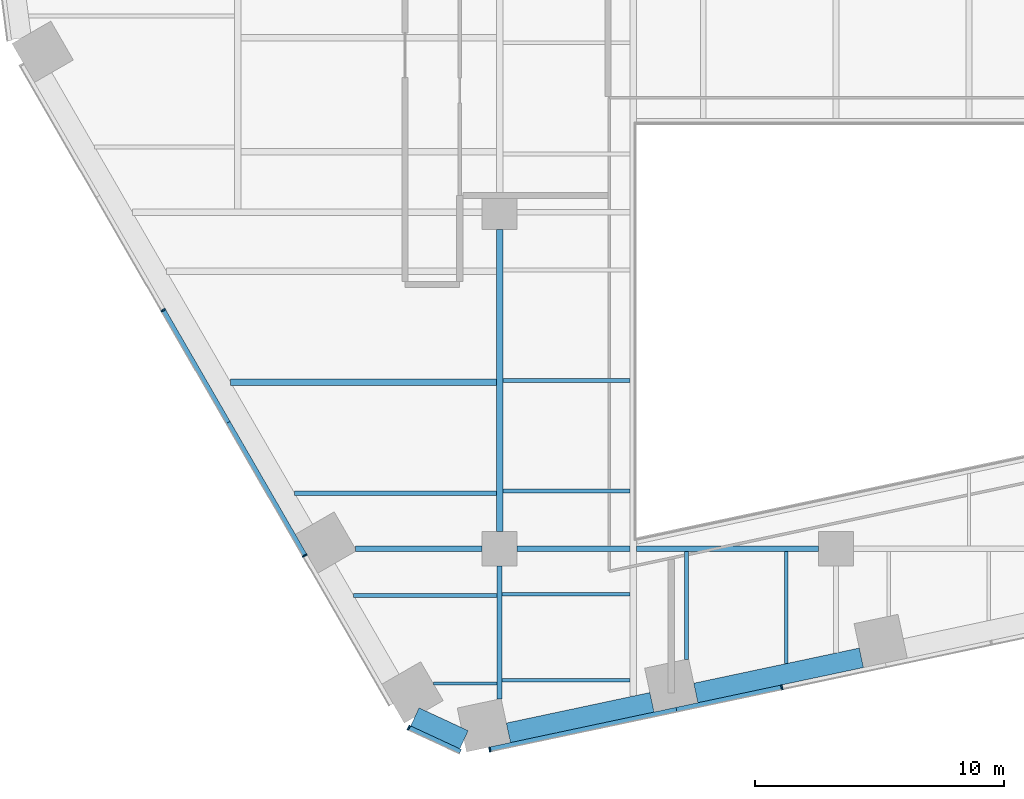
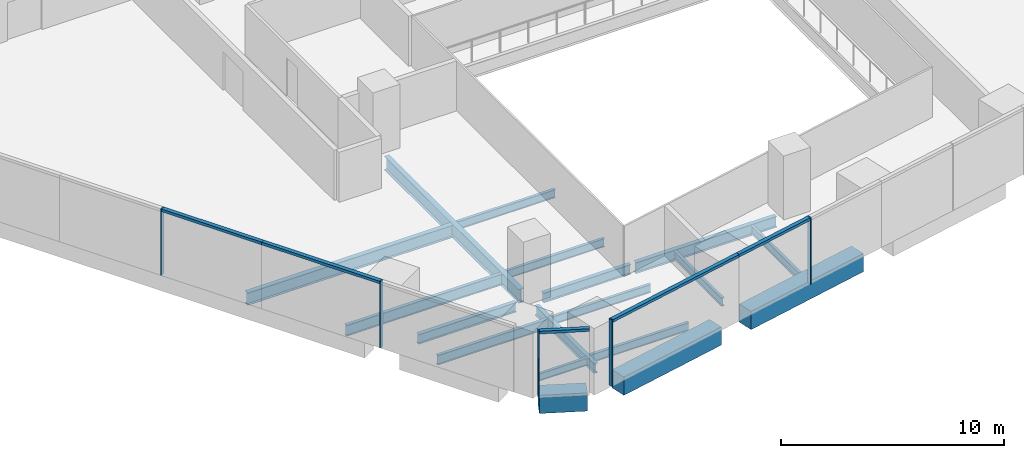
# One storey, part 2 of 21: 18 beams, 10 members, 3 elements without a shape of their own.
"""IFC4 building model written with IfcOpenShell, lengths in metres."""

from ifc_helpers import new_model, si_unit, direction, frame, origin, origin_2d, place, context, subcontext, project, spatial, rectangle, i_section, extrude, material, layer, layer_set, material_profile, profile_set, type_object, element, aggregate, save


model = new_model("IFC4")

# Units and contexts
model_context = context("Model", 3, precision=1e-05, world=origin(), true_north=direction((0.0, 1.0)))
body_context = subcontext(model_context, "Body", "Model", "MODEL_VIEW")
ifc_project = project(units=[si_unit("LENGTHUNIT", "METRE"), si_unit("AREAUNIT", "SQUARE_METRE"), si_unit("VOLUMEUNIT", "CUBIC_METRE"), si_unit("PLANEANGLEUNIT", "RADIAN"), si_unit("MASSUNIT", "GRAM", prefix="KILO")], contexts=[model_context])

# Site, building, storey
site_placement = place(None, origin())
site = spatial("IfcSite", under=ifc_project, at=site_placement, CompositionType="ELEMENT")
building_placement = place(site_placement, origin())
building = spatial("IfcBuilding", under=site, at=building_placement, Name="Isthmus Gate Tower", CompositionType="ELEMENT")
storey_placement = place(building_placement, frame((0.0, 0.0, 50.60009765625)))
storey = spatial("IfcBuildingStorey", under=building, at=storey_placement, Name="L10", CompositionType="ELEMENT", Elevation=50.60009765625)

# Curtain wall, members
ifc_material_1 = material(Name="Aluminium, pale champagne anodised", Category="aluminium")
ifc_layer = layer(ifc_material_1, 0.199951171875)
ifc_layer_set = layer_set([ifc_layer], Name="CW-1 UNITISED CURTAIN WALL 200 DEEP")
curtain_wall_type = type_object("IfcCurtainWallType", Name="CW-1 UNITISED CURTAIN WALL 200 DEEP", PredefinedType="NOTDEFINED", material=ifc_layer_set)
curtain_wall_1_placement = place(storey_placement, origin())
curtain_wall_1 = element("IfcCurtainWall", 1, at=curtain_wall_1_placement, inside=storey, type_object=curtain_wall_type, Name="CW-1 SW L10", PredefinedType="NOTDEFINED")
ifc_material_2 = material(Name="Aluminium, pale champagne anodised", Category="aluminium")
ifc_material_profile_1 = material_profile(ifc_material_2, rectangle(XDim=0.06005859375, YDim=0.199951171875, at=origin_2d()), Name="60x200")
ifc_profile_set_1 = profile_set([ifc_material_profile_1], Name="Aluminium, pale champagne anodised")
member_type_1 = type_object("IfcMemberType", Name="CW-1 MULLION 60 X 200", PredefinedType="MULLION", material=ifc_profile_set_1)
member_1_placement = place(storey_placement, frame((-27.001708984375, -17.431640625, 0.0), z_axis=(0.0, 0.0, 1.0), x_axis=(0.5, -0.866025403784, 0.0)))
member_1 = element("IfcMember", 2, at=member_1_placement, type_object=member_type_1, Name="CW-1 mullion", PredefinedType="MULLION", context=body_context, shape_type="SweptSolid", body=[
    extrude(rectangle(XDim=0.06005859375, YDim=0.199951171875, at=origin_2d()), origin(), (0.0, 0.0, 1.0), 3.64990234375),
])
member_2_placement = place(storey_placement, frame((-21.318115234375, -27.27587890625, 0.0), z_axis=(0.0, 0.0, 1.0), x_axis=(0.5, -0.866025403784, 0.0)))
member_2 = element("IfcMember", 3, at=member_2_placement, type_object=member_type_1, Name="CW-1 mullion", PredefinedType="MULLION", context=body_context, shape_type="SweptSolid", body=[
    extrude(rectangle(XDim=0.06005859375, YDim=0.199951171875, at=origin_2d()), origin(), (0.0, 0.0, 1.0), 3.64990234375),
])

# Curtain wall, member
curtain_wall_2_placement = place(storey_placement, origin())
curtain_wall_2 = element("IfcCurtainWall", 4, at=curtain_wall_2_placement, inside=storey, type_object=curtain_wall_type, Name="CW-1 SW-S L10", PredefinedType="NOTDEFINED")
member_3_placement = place(storey_placement, frame((-17.14794921875, -34.184814453125, 0.0), z_axis=(0.0, 0.0, 1.0), x_axis=(0.907256261367, -0.420578264073, 0.0)))
member_3 = element("IfcMember", 5, at=member_3_placement, type_object=member_type_1, Name="CW-1 mullion", PredefinedType="MULLION", context=body_context, shape_type="SweptSolid", body=[
    extrude(rectangle(XDim=0.06005859375, YDim=0.199951171875, at=origin_2d()), origin(), (0.0, 0.0, 1.0), 3.64990234375),
])

# Curtain wall, members
curtain_wall_3_placement = place(storey_placement, origin())
curtain_wall_3 = element("IfcCurtainWall", 6, at=curtain_wall_3_placement, inside=storey, type_object=curtain_wall_type, Name="CW-1 S L10", PredefinedType="NOTDEFINED")
member_4_placement = place(storey_placement, frame((-13.89501953125, -35.0556640625, 0.0), z_axis=(0.0, 0.0, 1.0), x_axis=(0.978147600734, 0.207911690818, 0.0)))
member_4 = element("IfcMember", 7, at=member_4_placement, type_object=member_type_1, Name="CW-1 mullion", PredefinedType="MULLION", context=body_context, shape_type="SweptSolid", body=[
    extrude(rectangle(XDim=0.06005859375, YDim=0.199951171875, at=origin_2d()), origin(), (0.0, 0.0, 1.0), 3.64990234375),
])
member_5_placement = place(storey_placement, frame((-2.1728515625, -32.564208984375, 0.0), z_axis=(0.0, 0.0, 1.0), x_axis=(0.978147600734, 0.207911690818, 0.0)))
member_5 = element("IfcMember", 8, at=member_5_placement, type_object=member_type_1, Name="CW-1 mullion", PredefinedType="MULLION", context=body_context, shape_type="SweptSolid", body=[
    extrude(rectangle(XDim=0.06005859375, YDim=0.199951171875, at=origin_2d()), origin(), (0.0, 0.0, 1.0), 3.64990234375),
])

# Member
ifc_material_3 = material(Name="Aluminium, pale champagne anodised", Category="aluminium")
ifc_material_profile_2 = material_profile(ifc_material_3, rectangle(XDim=0.199951171875, YDim=0.14990234375, at=origin_2d()), Name="200x150")
ifc_profile_set_2 = profile_set([ifc_material_profile_2], Name="Aluminium, pale champagne anodised")
member_type_2 = type_object("IfcMemberType", Name="CW-1 TRANSOM 200 X 150", PredefinedType="USERDEFINED", material=ifc_profile_set_2)
member_6_placement = place(storey_placement, frame((-26.98681640625, -17.45751953125, 3.574951171875), z_axis=(0.49999612508, -0.866027640959, 0.0), x_axis=(0.866027640959, 0.49999612508, 0.0)))
member_6 = element("IfcMember", 9, at=member_6_placement, type_object=member_type_2, Name="CW-1 transom", ObjectType="TRANSOM", PredefinedType="USERDEFINED", context=body_context, shape_type="SweptSolid", body=[
    extrude(rectangle(XDim=0.199951171875, YDim=0.14990234375, at=origin_2d()), origin(), (0.0, 0.0, 1.0), 5.173828125),
])

member_7_placement = place(storey_placement, frame((-24.39990234375, -21.938232421875, 3.574951171875), z_axis=(0.500017618927, -0.866015231253, 0.0), x_axis=(0.866015231253, 0.500017618927, 0.0)))
member_7 = element("IfcMember", 10, at=member_7_placement, type_object=member_type_2, Name="CW-1 transom", ObjectType="TRANSOM", PredefinedType="USERDEFINED", context=body_context, shape_type="SweptSolid", body=[
    extrude(rectangle(XDim=0.199951171875, YDim=0.14990234375, at=origin_2d()), origin(), (0.0, 0.0, 1.0), 6.133544921875),
])

aggregate(curtain_wall_1, [member_1, member_6, member_7, member_2])

member_8_placement = place(storey_placement, frame((-17.120849609375, -34.197509765625, 3.574951171875), z_axis=(0.907246225564, -0.420599912268, 0.0), x_axis=(0.420599912268, 0.907246225564, 0.0)))
member_8 = element("IfcMember", 11, at=member_8_placement, type_object=member_type_2, Name="CW-1 transom", ObjectType="TRANSOM", PredefinedType="USERDEFINED", context=body_context, shape_type="SweptSolid", body=[
    extrude(rectangle(XDim=0.199951171875, YDim=0.14990234375, at=origin_2d()), origin(), (0.0, 0.0, 1.0), 2.258544921875),
])

aggregate(curtain_wall_2, [member_3, member_8])

member_9_placement = place(storey_placement, frame((-13.86572265625, -35.049560546875, 3.574951171875), z_axis=(0.978149009137, 0.20790506469, 0.0), x_axis=(-0.20790506469, 0.978149009137, 0.0)))
member_9 = element("IfcMember", 12, at=member_9_placement, type_object=member_type_2, Name="CW-1 transom", ObjectType="TRANSOM", PredefinedType="USERDEFINED", context=body_context, shape_type="SweptSolid", body=[
    extrude(rectangle(XDim=0.199951171875, YDim=0.14990234375, at=origin_2d()), origin(), (0.0, 0.0, 1.0), 7.62939453125),
])

member_10_placement = place(storey_placement, frame((-6.403076171875, -33.46337890625, 3.574951171875), z_axis=(0.97813890815, 0.207952582007, 0.0), x_axis=(-0.207952582007, 0.97813890815, 0.0)))
member_10 = element("IfcMember", 13, at=member_10_placement, type_object=member_type_2, Name="CW-1 transom", ObjectType="TRANSOM", PredefinedType="USERDEFINED", context=body_context, shape_type="SweptSolid", body=[
    extrude(rectangle(XDim=0.199951171875, YDim=0.14990234375, at=origin_2d()), origin(), (0.0, 0.0, 1.0), 4.294677734375),
])

aggregate(curtain_wall_3, [member_4, member_9, member_10, member_5])

# Beams
ifc_material_4 = material(Name="Concrete f'c 70 MPa", Category="concrete")
ifc_material_profile_3 = material_profile(ifc_material_4, rectangle(XDim=0.800048828125, YDim=1.0, at=origin_2d()), Name="RC 800X1000")
ifc_profile_set_3 = profile_set([ifc_material_profile_3], Name="Concrete f'c 70 MPa")
beam_type_1 = type_object("IfcBeamType", Name="RC SPANDREL 800 X 1000", PredefinedType="SPANDREL", material=ifc_profile_set_3)
beam_1_placement = place(storey_placement, frame((1.01416015625, -31.37548828125, -0.5), z_axis=(-0.978145779981, -0.207920256603, 0.0), x_axis=(0.207920256603, -0.978145779981, 0.0)))
element("IfcBeam", 14, at=beam_1_placement, inside=storey, type_object=beam_type_1, Name="str-spandrel-L10-12", PredefinedType="SPANDREL", context=body_context, shape_type="SweptSolid", body=[
    extrude(rectangle(XDim=0.800048828125, YDim=1.0, at=origin_2d()), origin(), (0.0, 0.0, 1.0), 6.789306640625),
])
beam_2_placement = place(storey_placement, frame((-7.387451171875, -33.161376953125, -0.5), z_axis=(-0.978149894464, -0.207900899374, 0.0), x_axis=(0.207900899374, -0.978149894464, 0.0)))
element("IfcBeam", 15, at=beam_2_placement, inside=storey, type_object=beam_type_1, Name="str-spandrel-L10-13", PredefinedType="SPANDREL", context=body_context, shape_type="SweptSolid", body=[
    extrude(rectangle(XDim=0.800048828125, YDim=1.0, at=origin_2d()), origin(), (0.0, 0.0, 1.0), 5.88916015625),
])
beam_3_placement = place(storey_placement, frame((-14.929443359375, -34.662109375, -0.5), z_axis=(-0.907290744498, 0.420503870314, 0.0), x_axis=(-0.420503870314, -0.907290744498, 0.0)))
element("IfcBeam", 16, at=beam_3_placement, inside=storey, type_object=beam_type_1, Name="str-spandrel-L10-14", PredefinedType="SPANDREL", context=body_context, shape_type="SweptSolid", body=[
    extrude(rectangle(XDim=0.800048828125, YDim=1.0, at=origin_2d()), origin(), (0.0, 0.0, 1.0), 2.173095703125),
])
ifc_material_5 = material(Name="Structural steel ASTM A992 Gr 50", Category="steel")
ifc_material_profile_4 = material_profile(ifc_material_5, i_section(OverallWidth=0.1396484375, OverallDepth=0.4033203125, WebThickness=0.00634765625, FlangeThickness=0.010986328125, at=origin_2d()), Name="W16X31")
ifc_profile_set_4 = profile_set([ifc_material_profile_4], Name="Structural steel ASTM A992 Gr 50")
beam_type_2 = type_object("IfcBeamType", Name="STEEL FLOOR BEAM W16X31", PredefinedType="JOIST", material=ifc_profile_set_4)
beam_4_placement = place(storey_placement, frame((-16.162353515625, -32.406005859375, -0.351806640625), z_axis=(1.0, 0.0, 0.0), x_axis=(0.0, 1.0, 0.0)))
element("IfcBeam", 17, at=beam_4_placement, inside=storey, type_object=beam_type_2, Name="str-beam-L10-09-00", PredefinedType="JOIST", context=body_context, shape_type="SweptSolid", body=[
    extrude(i_section(OverallWidth=0.1396484375, OverallDepth=0.4033203125, WebThickness=0.00634765625, FlangeThickness=0.010986328125, at=origin_2d()), origin(), (0.0, 0.0, 1.0), 2.5576171875),
])
ifc_material_6 = material(Name="Structural steel ASTM A992 Gr 50", Category="steel")
ifc_material_profile_5 = material_profile(ifc_material_6, i_section(OverallWidth=0.15234375, OverallDepth=0.45068359375, WebThickness=0.0078125, FlangeThickness=0.010986328125, at=origin_2d()), Name="W18X35")
ifc_profile_set_5 = profile_set([ifc_material_profile_5], Name="Structural steel ASTM A992 Gr 50")
beam_type_3 = type_object("IfcBeamType", Name="STEEL FLOOR BEAM W18X35", PredefinedType="JOIST", material=ifc_profile_set_5)
for number, where, z_axis, x_axis, name in (
    (18, (-13.395263671875, -32.27197265625, -0.37548828125), (1.0, 0.0, 0.0), (0.0, 1.0, 0.0), "str-beam-L10-10-00"),
    (19, (-13.395263671875, -28.8271484375, -0.37548828125), (1.0, 0.0, 0.0), (0.0, 1.0, 0.0), "str-beam-L10-10-01"),
):
    element("IfcBeam", number, at=place(storey_placement, frame(where, z_axis=z_axis, x_axis=x_axis)), inside=storey, type_object=beam_type_3, Name=name, PredefinedType="JOIST", context=body_context, shape_type="SweptSolid", body=[
        extrude(i_section(OverallWidth=0.15234375, OverallDepth=0.45068359375, WebThickness=0.0078125, FlangeThickness=0.010986328125, at=origin_2d()), origin(), (0.0, 0.0, 1.0), 5.128662109375),
    ])
for number, where, z_axis, x_axis, name in (
    (20, (-13.3681640625, -24.68017578125, -0.37548828125), (1.0, 0.0, 0.0), (0.0, 1.0, 0.0), "str-beam-L10-12-00"),
    (21, (-13.3681640625, -20.25, -0.37548828125), (1.0, 0.0, 0.0), (0.0, 1.0, 0.0), "str-beam-L10-12-01"),
):
    element("IfcBeam", number, at=place(storey_placement, frame(where, z_axis=z_axis, x_axis=x_axis)), inside=storey, type_object=beam_type_3, Name=name, PredefinedType="JOIST", context=body_context, shape_type="SweptSolid", body=[
        extrude(i_section(OverallWidth=0.15234375, OverallDepth=0.45068359375, WebThickness=0.0078125, FlangeThickness=0.010986328125, at=origin_2d()), origin(), (0.0, 0.0, 1.0), 5.1015625),
    ])
beam_5_placement = place(storey_placement, frame((-6.0, -31.43505859375, -0.37548828125), z_axis=(0.0, 1.0, 0.0), x_axis=(-1.0, 0.0, 0.0)))
element("IfcBeam", 22, at=beam_5_placement, inside=storey, type_object=beam_type_3, Name="str-beam-L10-15-00", PredefinedType="JOIST", context=body_context, shape_type="SweptSolid", body=[
    extrude(i_section(OverallWidth=0.15234375, OverallDepth=0.45068359375, WebThickness=0.0078125, FlangeThickness=0.010986328125, at=origin_2d()), origin(), (0.0, 0.0, 1.0), 4.32080078125),
])
beam_6_placement = place(storey_placement, frame((-2.0, -31.607177734375, -0.37548828125), z_axis=(0.0, 1.0, 0.0), x_axis=(-1.0, 0.0, 0.0)))
element("IfcBeam", 23, at=beam_6_placement, inside=storey, type_object=beam_type_3, Name="str-beam-L10-15-01", PredefinedType="JOIST", context=body_context, shape_type="SweptSolid", body=[
    extrude(i_section(OverallWidth=0.15234375, OverallDepth=0.45068359375, WebThickness=0.0078125, FlangeThickness=0.010986328125, at=origin_2d()), origin(), (0.0, 0.0, 1.0), 4.492919921875),
])
ifc_material_7 = material(Name="Structural steel ASTM A992 Gr 50", Category="steel")
ifc_material_profile_6 = material_profile(ifc_material_7, i_section(OverallWidth=0.1650390625, OverallDepth=0.52392578125, WebThickness=0.009521484375, FlangeThickness=0.010986328125, at=origin_2d()), Name="W21X44")
ifc_profile_set_6 = profile_set([ifc_material_profile_6], Name="Structural steel ASTM A992 Gr 50")
beam_type_4 = type_object("IfcBeamType", Name="STEEL FLOOR BEAM W21X44", PredefinedType="JOIST", material=ifc_profile_set_6)
beam_7_placement = place(storey_placement, frame((-19.357421875, -28.871826171875, -0.412109375), z_axis=(1.0, 0.0, 0.0), x_axis=(0.0, 1.0, 0.0)))
element("IfcBeam", 24, at=beam_7_placement, inside=storey, type_object=beam_type_4, Name="str-beam-L10-09-01", PredefinedType="JOIST", context=body_context, shape_type="SweptSolid", body=[
    extrude(i_section(OverallWidth=0.1650390625, OverallDepth=0.52392578125, WebThickness=0.009521484375, FlangeThickness=0.010986328125, at=origin_2d()), origin(), (0.0, 0.0, 1.0), 5.752685546875),
])
ifc_material_8 = material(Name="Structural steel ASTM A992 Gr 50", Category="steel")
ifc_material_profile_7 = material_profile(ifc_material_8, i_section(OverallWidth=0.177734375, OverallDepth=0.60009765625, WebThickness=0.009521484375, FlangeThickness=0.0126953125, at=origin_2d()), Name="W24X55")
ifc_profile_set_7 = profile_set([ifc_material_profile_7], Name="Structural steel ASTM A992 Gr 50")
beam_type_5 = type_object("IfcBeamType", Name="STEEL FLOOR BEAM W24X55", PredefinedType="JOIST", material=ifc_profile_set_7)
beam_8_placement = place(storey_placement, frame((-21.724365234375, -24.772216796875, -0.4501953125), z_axis=(1.0, 0.0, 0.0), x_axis=(0.0, 1.0, 0.0)))
element("IfcBeam", 25, at=beam_8_placement, inside=storey, type_object=beam_type_5, Name="str-beam-L10-05-00", PredefinedType="JOIST", context=body_context, shape_type="SweptSolid", body=[
    extrude(i_section(OverallWidth=0.177734375, OverallDepth=0.60009765625, WebThickness=0.009521484375, FlangeThickness=0.0126953125, at=origin_2d()), origin(), (0.0, 0.0, 1.0), 8.092529296875),
])
ifc_material_9 = material(Name="Structural steel ASTM A992 Gr 50", Category="steel")
ifc_material_profile_8 = material_profile(ifc_material_9, i_section(OverallWidth=0.25390625, OverallDepth=0.679443359375, WebThickness=0.010986328125, FlangeThickness=0.015869140625, at=origin_2d()), Name="W27X84")
ifc_profile_set_8 = profile_set([ifc_material_profile_8], Name="Structural steel ASTM A992 Gr 50")
beam_type_6 = type_object("IfcBeamType", Name="STEEL FLOOR BEAM W27X84", PredefinedType="JOIST", material=ifc_profile_set_8)
beam_9_placement = place(storey_placement, frame((-24.296875, -20.316650390625, -0.48974609375), z_axis=(1.0, 0.0, 0.0), x_axis=(0.0, 1.0, 0.0)))
element("IfcBeam", 26, at=beam_9_placement, inside=storey, type_object=beam_type_6, Name="str-beam-L10-05-01", PredefinedType="JOIST", context=body_context, shape_type="SweptSolid", body=[
    extrude(i_section(OverallWidth=0.25390625, OverallDepth=0.679443359375, WebThickness=0.010986328125, FlangeThickness=0.015869140625, at=origin_2d()), origin(), (0.0, 0.0, 1.0), 10.6650390625),
])
ifc_material_10 = material(Name="Structural steel ASTM A992 Gr 50", Category="steel")
ifc_material_profile_9 = material_profile(ifc_material_10, i_section(OverallWidth=0.20947265625, OverallDepth=0.533447265625, WebThickness=0.009521484375, FlangeThickness=0.015869140625, at=origin_2d()), Name="W21X62")
ifc_profile_set_9 = profile_set([ifc_material_profile_9], Name="Structural steel ASTM A992 Gr 50")
beam_type_7 = type_object("IfcBeamType", Name="STEEL GIRDER W21X62", PredefinedType="BEAM", material=ifc_profile_set_9)
beam_10_placement = place(storey_placement, frame((-19.283447265625, -27.0, -0.416748046875), z_axis=(1.0, 0.0, 0.0), x_axis=(0.0, 1.0, 0.0)))
element("IfcBeam", 27, at=beam_10_placement, inside=storey, type_object=beam_type_7, Name="str-girder-L10-01", PredefinedType="BEAM", context=body_context, shape_type="SweptSolid", body=[
    extrude(i_section(OverallWidth=0.20947265625, OverallDepth=0.533447265625, WebThickness=0.009521484375, FlangeThickness=0.015869140625, at=origin_2d()), origin(), (0.0, 0.0, 1.0), 5.08349609375),
])
beam_11_placement = place(storey_placement, frame((-12.800048828125, -27.0, -0.416748046875), z_axis=(1.0, 0.0, 0.0), x_axis=(0.0, 1.0, 0.0)))
element("IfcBeam", 28, at=beam_11_placement, inside=storey, type_object=beam_type_7, Name="str-girder-L10-02", PredefinedType="BEAM", context=body_context, shape_type="SweptSolid", body=[
    extrude(i_section(OverallWidth=0.20947265625, OverallDepth=0.533447265625, WebThickness=0.009521484375, FlangeThickness=0.015869140625, at=origin_2d()), origin(), (0.0, 0.0, 1.0), 4.533447265625),
])
beam_12_placement = place(storey_placement, frame((-13.5, -33.029296875, -0.416748046875), z_axis=(0.0, 1.0, 0.0), x_axis=(-1.0, 0.0, 0.0)))
element("IfcBeam", 29, at=beam_12_placement, inside=storey, type_object=beam_type_7, Name="str-girder-L10-23", PredefinedType="BEAM", context=body_context, shape_type="SweptSolid", body=[
    extrude(i_section(OverallWidth=0.20947265625, OverallDepth=0.533447265625, WebThickness=0.009521484375, FlangeThickness=0.015869140625, at=origin_2d()), origin(), (0.0, 0.0, 1.0), 5.329345703125),
])
ifc_material_11 = material(Name="Structural steel ASTM A992 Gr 50", Category="steel")
ifc_material_profile_10 = material_profile(ifc_material_11, i_section(OverallWidth=0.228515625, OverallDepth=0.603271484375, WebThickness=0.010986328125, FlangeThickness=0.014404296875, at=origin_2d()), Name="W24X68")
ifc_profile_set_10 = profile_set([ifc_material_profile_10], Name="Structural steel ASTM A992 Gr 50")
beam_type_8 = type_object("IfcBeamType", Name="STEEL GIRDER W24X68", PredefinedType="BEAM", material=ifc_profile_set_10)
beam_13_placement = place(storey_placement, frame((-8.0, -27.0, -0.45166015625), z_axis=(1.0, 0.0, 0.0), x_axis=(0.0, 1.0, 0.0)))
element("IfcBeam", 30, at=beam_13_placement, inside=storey, type_object=beam_type_8, Name="str-girder-L10-03", PredefinedType="BEAM", context=body_context, shape_type="SweptSolid", body=[
    extrude(i_section(OverallWidth=0.228515625, OverallDepth=0.603271484375, WebThickness=0.010986328125, FlangeThickness=0.014404296875, at=origin_2d()), origin(), (0.0, 0.0, 1.0), 7.300048828125),
])
ifc_material_12 = material(Name="Structural steel ASTM A992 Gr 50", Category="steel")
ifc_material_profile_11 = material_profile(ifc_material_12, i_section(OverallWidth=0.263427734375, OverallDepth=0.749267578125, WebThickness=0.0126953125, FlangeThickness=0.015869140625, at=origin_2d()), Name="W30X90")
ifc_profile_set_11 = profile_set([ifc_material_profile_11], Name="Structural steel ASTM A992 Gr 50")
beam_type_9 = type_object("IfcBeamType", Name="STEEL GIRDER W30X90", PredefinedType="BEAM", material=ifc_profile_set_11)
beam_14_placement = place(storey_placement, frame((-13.5, -26.300048828125, -0.524658203125), z_axis=(0.0, 1.0, 0.0), x_axis=(-1.0, 0.0, 0.0)))
element("IfcBeam", 31, at=beam_14_placement, inside=storey, type_object=beam_type_9, Name="str-girder-L10-24", PredefinedType="BEAM", context=body_context, shape_type="SweptSolid", body=[
    extrude(i_section(OverallWidth=0.263427734375, OverallDepth=0.749267578125, WebThickness=0.0126953125, FlangeThickness=0.015869140625, at=origin_2d()), origin(), (0.0, 0.0, 1.0), 12.10009765625),
])

save(model, "model.ifc")
